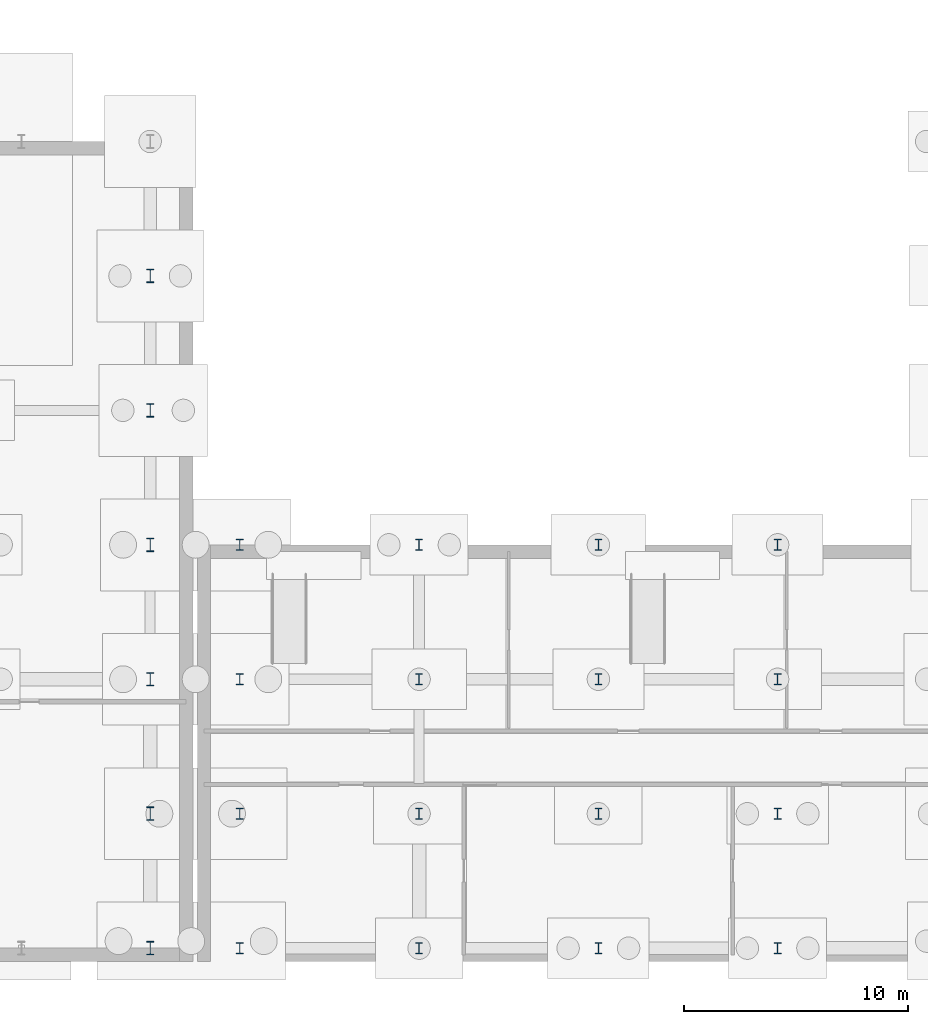
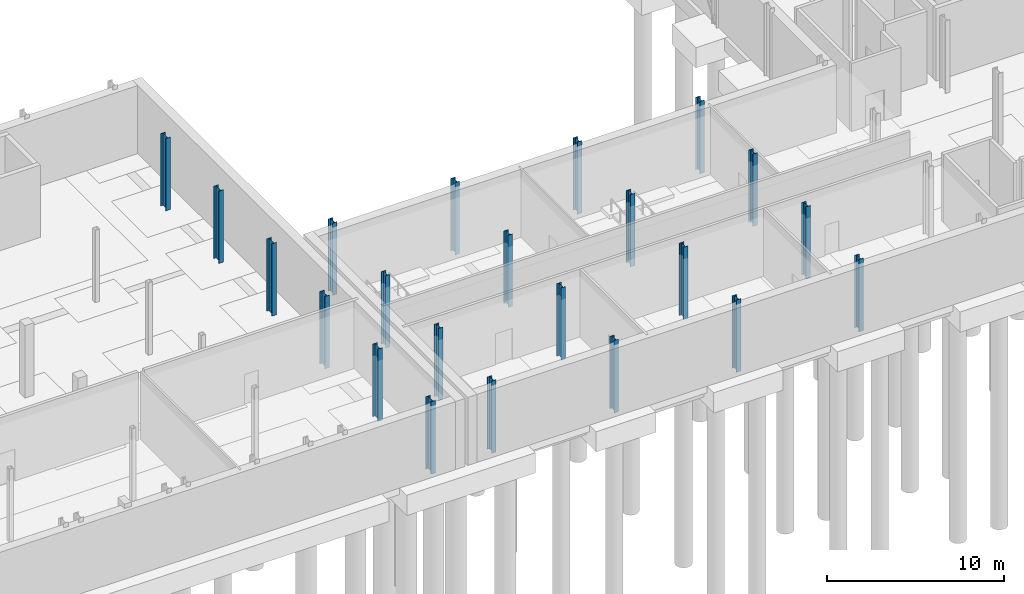
# One storey, part 11 of 47: 22 columns.
"""IFC4 building model written with IfcOpenShell, lengths in metres."""

from ifc_helpers import new_model, si_unit, direction, frame, origin, origin_2d, place, context, subcontext, project, spatial, i_section, extrude, material, material_profile, profile_set, type_object, element, save


model = new_model("IFC4")

# Units and contexts
model_context = context("Model", 3, precision=1e-05, world=origin(), true_north=direction((0.0, 1.0)))
body_context = subcontext(model_context, "Body", "Model", "MODEL_VIEW")
ifc_project = project(units=[si_unit("LENGTHUNIT", "METRE"), si_unit("AREAUNIT", "SQUARE_METRE"), si_unit("VOLUMEUNIT", "CUBIC_METRE"), si_unit("PLANEANGLEUNIT", "RADIAN"), si_unit("MASSUNIT", "GRAM", prefix="KILO")], contexts=[model_context])

# Site, building, storey
site_placement = place(None, origin())
site = spatial("IfcSite", under=ifc_project, at=site_placement, CompositionType="ELEMENT")
building_placement = place(site_placement, origin())
building = spatial("IfcBuilding", under=site, at=building_placement, Name="Cymarion Research Institute", CompositionType="ELEMENT")
storey_placement = place(building_placement, frame((0.0, 0.0, -5.0)))
storey = spatial("IfcBuildingStorey", under=building, at=storey_placement, Name="B1", CompositionType="ELEMENT", Elevation=-5.0)

# Columns
ifc_material = material(Name="Steel S355", Category="steel")
ifc_material_profile_1 = material_profile(ifc_material, i_section(OverallWidth=0.300048828125, OverallDepth=0.60009765625, WebThickness=0.015380859375, FlangeThickness=0.030029296875, FilletRadius=0.027099609375, at=origin_2d()), Name="HEB 600")
ifc_profile_set_1 = profile_set([ifc_material_profile_1], Name="Steel S355")
column_type_1 = type_object("IfcColumnType", Name="STRUCTURAL COLUMN C02 HEB 600", PredefinedType="COLUMN", material=ifc_profile_set_1)
for number, where, z_axis, x_axis, name in (
    (1, (102.60009765625, 5.5, 0.0), (0.0, 0.0, 1.0), (1.0, 0.0, 0.0), "B1 V2 column C02 #175"),
    (2, (102.60009765625, 11.5, 0.0), (0.0, 0.0, 1.0), (1.0, 0.0, 0.0), "B1 V2 column C02 #176"),
    (3, (102.60009765625, 17.5, 0.0), (0.0, 0.0, 1.0), (1.0, 0.0, 0.0), "B1 V2 column C02 #177"),
    (4, (102.60009765625, 23.5, 0.0), (0.0, 0.0, 1.0), (1.0, 0.0, 0.0), "B1 V2 column C02 #178"),
    (5, (102.60009765625, 29.5, 0.0), (0.0, 0.0, 1.0), (1.0, 0.0, 0.0), "B1 V2 column C02 #179"),
    (6, (102.60009765625, 35.5, 0.0), (0.0, 0.0, 1.0), (1.0, 0.0, 0.0), "B1 V2 column C02 #180"),
):
    element("IfcColumn", number, at=place(storey_placement, frame(where, z_axis=z_axis, x_axis=x_axis)), inside=storey, type_object=column_type_1, Name=name, PredefinedType="COLUMN", context=body_context, shape_type="SweptSolid", body=[
        extrude(i_section(OverallWidth=0.300048828125, OverallDepth=0.60009765625, WebThickness=0.015380859375, FlangeThickness=0.030029296875, FilletRadius=0.027099609375, at=origin_2d()), origin(), (0.0, 0.0, 1.0), 5.0),
    ])
ifc_material_profile_2 = material_profile(ifc_material, i_section(OverallWidth=0.300048828125, OverallDepth=0.5, WebThickness=0.014404296875, FlangeThickness=0.028076171875, FilletRadius=0.027099609375, at=origin_2d()), Name="HEB 500")
ifc_profile_set_2 = profile_set([ifc_material_profile_2], Name="Steel S355")
column_type_2 = type_object("IfcColumnType", Name="STRUCTURAL COLUMN C04 HEB 500", PredefinedType="COLUMN", material=ifc_profile_set_2)
for number, where, z_axis, x_axis, name in (
    (7, (106.60009765625, 5.5, 0.0), (0.0, 0.0, 1.0), (1.0, 0.0, 0.0), "B1 V1 column C04 #182"),
    (8, (106.60009765625, 11.5, 0.0), (0.0, 0.0, 1.0), (1.0, 0.0, 0.0), "B1 V1 column C04 #183"),
    (9, (106.60009765625, 17.5, 0.0), (0.0, 0.0, 1.0), (1.0, 0.0, 0.0), "B1 V1 column C04 #184"),
    (10, (106.60009765625, 23.5, 0.0), (0.0, 0.0, 1.0), (1.0, 0.0, 0.0), "B1 V1 column C04 #185"),
    (11, (114.60009765625, 5.5, 0.0), (0.0, 0.0, 1.0), (1.0, 0.0, 0.0), "B1 V1 column C04 #186"),
    (12, (114.60009765625, 11.5, 0.0), (0.0, 0.0, 1.0), (1.0, 0.0, 0.0), "B1 V1 column C04 #187"),
    (13, (114.60009765625, 17.5, 0.0), (0.0, 0.0, 1.0), (1.0, 0.0, 0.0), "B1 V1 column C04 #188"),
    (14, (114.60009765625, 23.5, 0.0), (0.0, 0.0, 1.0), (1.0, 0.0, 0.0), "B1 V1 column C04 #189"),
    (15, (122.60009765625, 5.5, 0.0), (0.0, 0.0, 1.0), (1.0, 0.0, 0.0), "B1 V1 column C04 #190"),
    (16, (122.60009765625, 11.5, 0.0), (0.0, 0.0, 1.0), (1.0, 0.0, 0.0), "B1 V1 column C04 #191"),
    (17, (122.60009765625, 17.5, 0.0), (0.0, 0.0, 1.0), (1.0, 0.0, 0.0), "B1 V1 column C04 #192"),
    (18, (122.60009765625, 23.5, 0.0), (0.0, 0.0, 1.0), (1.0, 0.0, 0.0), "B1 V1 column C04 #193"),
    (19, (130.60009765625, 5.5, 0.0), (0.0, 0.0, 1.0), (1.0, 0.0, 0.0), "B1 V1 column C04 #194"),
    (20, (130.60009765625, 11.5, 0.0), (0.0, 0.0, 1.0), (1.0, 0.0, 0.0), "B1 V1 column C04 #195"),
    (21, (130.60009765625, 17.5, 0.0), (0.0, 0.0, 1.0), (1.0, 0.0, 0.0), "B1 V1 column C04 #196"),
    (22, (130.60009765625, 23.5, 0.0), (0.0, 0.0, 1.0), (1.0, 0.0, 0.0), "B1 V1 column C04 #197"),
):
    element("IfcColumn", number, at=place(storey_placement, frame(where, z_axis=z_axis, x_axis=x_axis)), inside=storey, type_object=column_type_2, Name=name, PredefinedType="COLUMN", context=body_context, shape_type="SweptSolid", body=[
        extrude(i_section(OverallWidth=0.300048828125, OverallDepth=0.5, WebThickness=0.014404296875, FlangeThickness=0.028076171875, FilletRadius=0.027099609375, at=origin_2d()), origin(), (0.0, 0.0, 1.0), 5.0),
    ])

save(model, "model.ifc")
